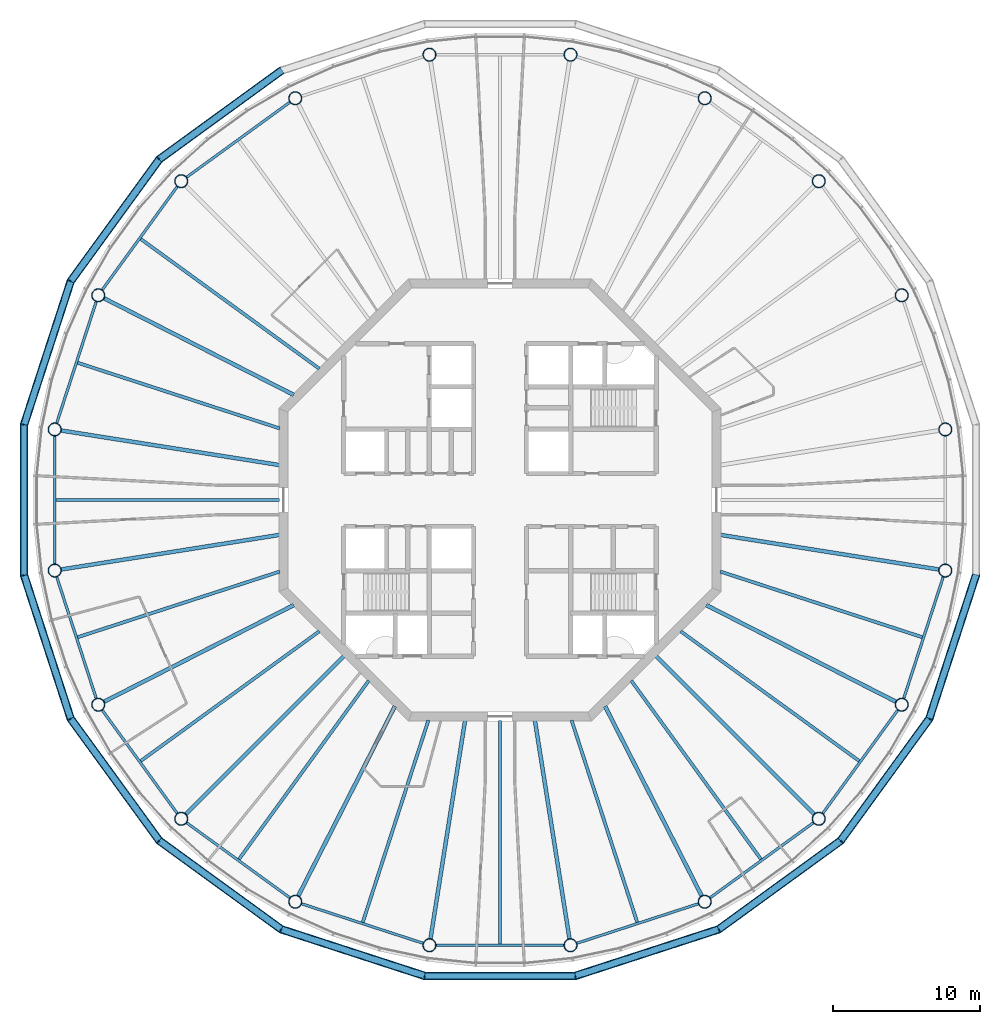
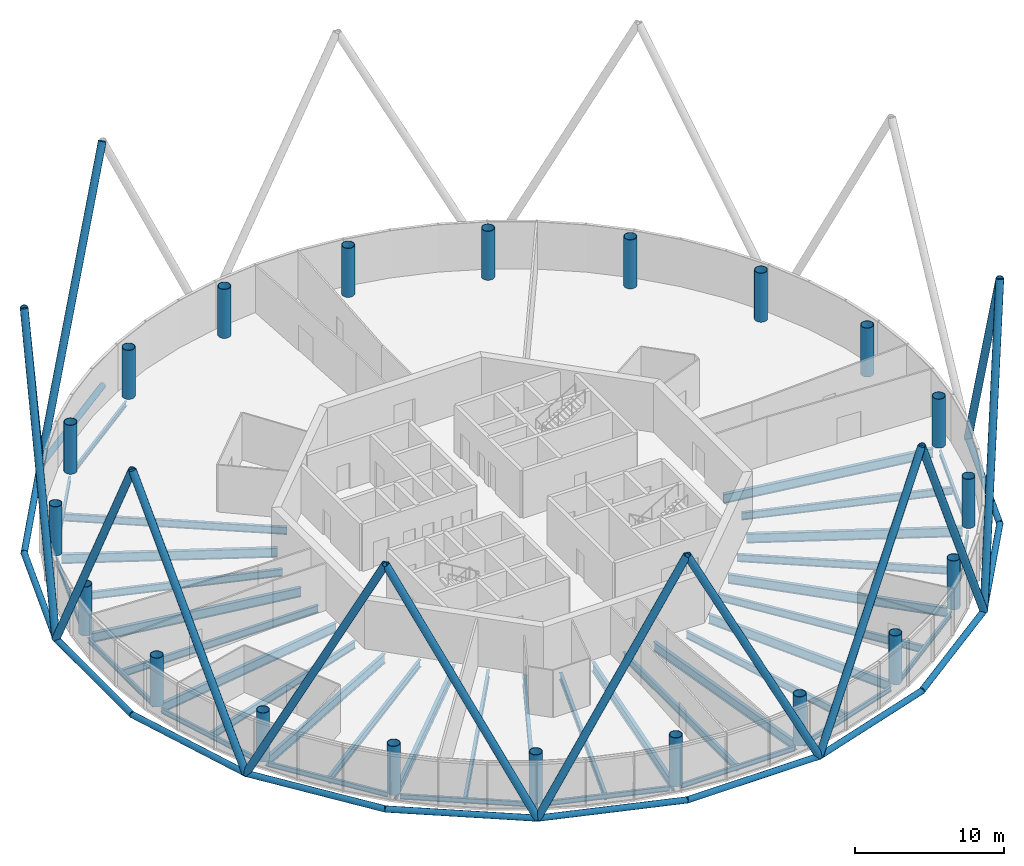
# One storey, part 1 of 13: 37 beams, 26 members, 20 columns.
"""IFC4 building model written with IfcOpenShell, lengths in metres."""

from ifc_helpers import new_model, si_unit, direction, frame, origin, origin_2d, place, context, subcontext, project, spatial, circle, hollow_circle, i_section, extrude, material, material_profile, profile_set, type_object, element, save


model = new_model("IFC4")

# Units and contexts
model_context = context("Model", 3, precision=1e-05, world=origin(), true_north=direction((0.0, 1.0)))
body_context = subcontext(model_context, "Body", "Model", "MODEL_VIEW")
ifc_project = project(units=[si_unit("LENGTHUNIT", "METRE"), si_unit("AREAUNIT", "SQUARE_METRE"), si_unit("VOLUMEUNIT", "CUBIC_METRE"), si_unit("PLANEANGLEUNIT", "RADIAN"), si_unit("MASSUNIT", "GRAM", prefix="KILO")], contexts=[model_context])

# Site, building, storey
site_placement = place(None, origin())
site = spatial("IfcSite", under=ifc_project, at=site_placement, CompositionType="ELEMENT")
building_placement = place(site_placement, origin())
building = spatial("IfcBuilding", under=site, at=building_placement, Name="Entoto Ring Tower", CompositionType="ELEMENT")
storey_placement = place(building_placement, frame((0.0, 0.0, 372.0)))
storey = spatial("IfcBuildingStorey", under=building, at=storey_placement, Name="L86", CompositionType="ELEMENT", Elevation=372.0)

# Columns
ifc_material_1 = material(Name="Steel S355", Category="steel")
ifc_material_profile_1 = material_profile(ifc_material_1, hollow_circle(Radius=0.449951171875, WallThickness=0.0400390625, at=origin_2d()), Name="CHS 900 x 40")
ifc_material_2 = material(Name="Concrete C60/75", Category="concrete")
ifc_material_profile_2 = material_profile(ifc_material_2, circle(Radius=0.409912109375, at=origin_2d()), Name="Concrete C60/75 infill")
ifc_profile_set_1 = profile_set([ifc_material_profile_1, ifc_material_profile_2], Name="Steel S355")
column_type = type_object("IfcColumnType", Name="Ring column 900 x 40 concrete-filled tube", PredefinedType="COLUMN", material=ifc_profile_set_1)
for number, where, z_axis, x_axis, name in (
    (1, (120.22314453125, 84.786865234375, 0.0), (0.0, 0.0, 1.0), (1.0, 0.0, 0.0), "RC6 R01"),
    (2, (117.264892578125, 93.89208984375, 0.0), (0.0, 0.0, 1.0), (1.0, 0.0, 0.0), "RC6 R02"),
    (3, (111.637451171875, 101.637451171875, 0.0), (0.0, 0.0, 1.0), (1.0, 0.0, 0.0), "RC6 R03"),
    (4, (103.89208984375, 107.264892578125, 0.0), (0.0, 0.0, 1.0), (1.0, 0.0, 0.0), "RC6 R04"),
    (5, (94.786865234375, 110.22314453125, 0.0), (0.0, 0.0, 1.0), (1.0, 0.0, 0.0), "RC6 R05"),
    (6, (85.213134765625, 110.22314453125, 0.0), (0.0, 0.0, 1.0), (1.0, 0.0, 0.0), "RC6 R06"),
    (7, (76.10791015625, 107.264892578125, 0.0), (0.0, 0.0, 1.0), (1.0, 0.0, 0.0), "RC6 R07"),
    (8, (68.362548828125, 101.637451171875, 0.0), (0.0, 0.0, 1.0), (1.0, 0.0, 0.0), "RC6 R08"),
    (9, (62.735107421875, 93.89208984375, 0.0), (0.0, 0.0, 1.0), (1.0, 0.0, 0.0), "RC6 R09"),
    (10, (59.77685546875, 84.786865234375, 0.0), (0.0, 0.0, 1.0), (1.0, 0.0, 0.0), "RC6 R10"),
    (11, (59.77685546875, 75.213134765625, 0.0), (0.0, 0.0, 1.0), (1.0, 0.0, 0.0), "RC6 R11"),
    (12, (62.735107421875, 66.10791015625, 0.0), (0.0, 0.0, 1.0), (1.0, 0.0, 0.0), "RC6 R12"),
    (13, (68.362548828125, 58.362548828125, 0.0), (0.0, 0.0, 1.0), (1.0, 0.0, 0.0), "RC6 R13"),
    (14, (76.10791015625, 52.735107421875, 0.0), (0.0, 0.0, 1.0), (1.0, 0.0, 0.0), "RC6 R14"),
    (15, (85.213134765625, 49.77685546875, 0.0), (0.0, 0.0, 1.0), (1.0, 0.0, 0.0), "RC6 R15"),
    (16, (94.786865234375, 49.77685546875, 0.0), (0.0, 0.0, 1.0), (1.0, 0.0, 0.0), "RC6 R16"),
    (17, (103.89208984375, 52.735107421875, 0.0), (0.0, 0.0, 1.0), (1.0, 0.0, 0.0), "RC6 R17"),
    (18, (111.637451171875, 58.362548828125, 0.0), (0.0, 0.0, 1.0), (1.0, 0.0, 0.0), "RC6 R18"),
    (19, (117.264892578125, 66.10791015625, 0.0), (0.0, 0.0, 1.0), (1.0, 0.0, 0.0), "RC6 R19"),
    (20, (120.22314453125, 75.213134765625, 0.0), (0.0, 0.0, 1.0), (1.0, 0.0, 0.0), "RC6 R20"),
):
    element("IfcColumn", number, at=place(storey_placement, frame(where, z_axis=z_axis, x_axis=x_axis)), inside=storey, type_object=column_type, Name=name, PredefinedType="COLUMN", context=body_context, shape_type="SweptSolid", body=[
        extrude(hollow_circle(Radius=0.449951171875, WallThickness=0.0400390625, at=origin_2d()), origin(), (0.0, 0.0, 1.0), 4.0),
    ])

# Members
ifc_material_3 = material(Name="Steel S355", Category="steel")
ifc_material_profile_3 = material_profile(ifc_material_3, hollow_circle(Radius=0.279541015625, WallThickness=0.031982421875, at=origin_2d()), Name="CHS 559 x 32")
ifc_material_4 = material(Name="Concrete C60/75", Category="concrete")
ifc_material_profile_4 = material_profile(ifc_material_4, circle(Radius=0.24755859375, at=origin_2d()), Name="Concrete C60/75 infill")
ifc_profile_set_2 = profile_set([ifc_material_profile_3, ifc_material_profile_4], Name="Steel S355")
member_type_1 = type_object("IfcMemberType", Name="Diagrid diagonal 559 x 32 concrete-filled tube", PredefinedType="BRACE", material=ifc_profile_set_2)
for number, where, z_axis, x_axis, name in (
    (21, (66.877685546875, 103.122314453125, 0.0), (0.368435420028, 0.2676922089, 0.890278733074), (-0.587797047665, 0.809008424404, 0.0), "DG7A module 28 07"),
    (22, (66.877685546875, 103.122314453125, 0.0), (-0.2676922089, -0.368435420028, 0.890278733074), (0.809008424404, -0.587797047665, 0.0), "DG7A module 28 08"),
    (23, (57.70263671875, 85.115478515625, 0.0), (0.140725857901, 0.433121348428, 0.890282051068), (-0.95105896794, 0.309009448885, 0.0), "DG7A module 28 09"),
    (24, (57.70263671875, 85.115478515625, 0.0), (0.0, -0.455419317756, 0.890277060816), (1.0, 0.0, 0.0), "DG7A module 28 10"),
    (25, (60.864013671875, 65.154541015625, 0.0), (-0.140725857901, 0.433121348428, 0.890282051068), (-0.95105896794, -0.309009448885, 0.0), "DG7A module 28 11"),
    (26, (60.864013671875, 65.154541015625, 0.0), (0.2676922089, -0.368435420028, 0.890278733074), (0.809008424404, 0.587797047665, 0.0), "DG7A module 28 12"),
    (27, (75.154541015625, 50.864013671875, 0.0), (-0.368435420028, 0.2676922089, 0.890278733074), (-0.587797047665, -0.809008424404, 0.0), "DG7A module 28 13"),
    (28, (75.154541015625, 50.864013671875, 0.0), (0.433121348428, -0.140725857901, 0.890282051068), (0.309009448885, 0.95105896794, 0.0), "DG7A module 28 14"),
    (29, (95.115478515625, 47.70263671875, 0.0), (-0.455419317756, 0.0, 0.890277060816), (0.0, -1.0, 0.0), "DG7A module 28 15"),
    (30, (95.115478515625, 47.70263671875, 0.0), (0.433121348428, 0.140725857901, 0.890282051068), (-0.309009448885, 0.95105896794, 0.0), "DG7A module 28 16"),
    (31, (113.122314453125, 56.877685546875, 0.0), (-0.368435420028, -0.2676922089, 0.890278733074), (0.587797047665, -0.809008424404, 0.0), "DG7A module 28 17"),
    (32, (113.122314453125, 56.877685546875, 0.0), (0.2676922089, 0.368435420028, 0.890278733074), (-0.809008424404, 0.587797047665, 0.0), "DG7A module 28 18"),
    (33, (122.29736328125, 74.884521484375, 0.0), (-0.140725857901, -0.433121348428, 0.890282051068), (0.95105896794, -0.309009448885, 0.0), "DG7A module 28 19"),
):
    element("IfcMember", number, at=place(storey_placement, frame(where, z_axis=z_axis, x_axis=x_axis)), inside=storey, type_object=member_type_1, Name=name, PredefinedType="BRACE", context=body_context, shape_type="SweptSolid", body=[
        extrude(hollow_circle(Radius=0.279541015625, WallThickness=0.031982421875, at=origin_2d()), origin(), (0.0, 0.0, 1.0), 22.46484375),
    ])
ifc_material_5 = material(Name="Steel S355", Category="steel")
ifc_material_profile_5 = material_profile(ifc_material_5, hollow_circle(Radius=0.228515625, WallThickness=0.02001953125, at=origin_2d()), Name="CHS 457 x 20")
ifc_material_6 = material(Name="Concrete C60/75", Category="concrete")
ifc_material_profile_6 = material_profile(ifc_material_6, circle(Radius=0.20849609375, at=origin_2d()), Name="Concrete C60/75 infill")
ifc_profile_set_3 = profile_set([ifc_material_profile_5, ifc_material_profile_6], Name="Steel S355")
member_type_2 = type_object("IfcMemberType", Name="Diagrid ring beam 457 x 20", PredefinedType="CHORD", material=ifc_profile_set_3)
for number, where, z_axis, x_axis, name in (
    (34, (75.199951171875, 109.1689453125, 0.0), (-0.809019745966, -0.587781465034, 0.0), (0.587781465034, -0.809019745966, 0.0), "DR3 ring 27 06"),
    (35, (66.91064453125, 103.16796875, 0.0), (-0.587781465034, -0.809019745966, 0.0), (0.809019745966, -0.587781465034, 0.0), "DR3 ring 27 07"),
):
    element("IfcMember", number, at=place(storey_placement, frame(where, z_axis=z_axis, x_axis=x_axis)), inside=storey, type_object=member_type_2, Name=name, PredefinedType="CHORD", context=body_context, shape_type="SweptSolid", body=[
        extrude(hollow_circle(Radius=0.228515625, WallThickness=0.02001953125, at=origin_2d()), origin(), (0.0, 0.0, 1.0), 10.34326171875),
    ])
member_1_placement = place(storey_placement, frame((60.88134765625, 94.89892578125, 0.0), z_axis=(-0.309002809244, -0.951061125206, 0.0), x_axis=(0.951061125206, -0.309002809244, 0.0)))
element("IfcMember", 36, at=member_1_placement, inside=storey, type_object=member_type_2, Name="DR3 ring 27 08", PredefinedType="CHORD", context=body_context, shape_type="SweptSolid", body=[
    extrude(hollow_circle(Radius=0.228515625, WallThickness=0.02001953125, at=origin_2d()), origin(), (0.0, 0.0, 1.0), 10.343017578125),
])
member_2_placement = place(storey_placement, frame((57.70263671875, 85.171630859375, 0.0), z_axis=(0.0, -1.0, 0.0), x_axis=(1.0, 0.0, 0.0)))
element("IfcMember", 37, at=member_2_placement, inside=storey, type_object=member_type_2, Name="DR3 ring 27 09", PredefinedType="CHORD", context=body_context, shape_type="SweptSolid", body=[
    extrude(hollow_circle(Radius=0.228515625, WallThickness=0.02001953125, at=origin_2d()), origin(), (0.0, 0.0, 1.0), 10.34326171875),
])
member_3_placement = place(storey_placement, frame((57.685302734375, 74.93798828125, 0.0), z_axis=(0.309002809244, -0.951061125206, 0.0), x_axis=(0.951061125206, 0.309002809244, 0.0)))
element("IfcMember", 38, at=member_3_placement, inside=storey, type_object=member_type_2, Name="DR3 ring 27 10", PredefinedType="CHORD", context=body_context, shape_type="SweptSolid", body=[
    extrude(hollow_circle(Radius=0.228515625, WallThickness=0.02001953125, at=origin_2d()), origin(), (0.0, 0.0, 1.0), 10.343017578125),
])
for number, where, z_axis, x_axis, name in (
    (39, (60.8310546875, 65.199951171875, 0.0), (0.587781465034, -0.809019745966, 0.0), (0.809019745966, 0.587781465034, 0.0), "DR3 ring 27 11"),
    (40, (66.83203125, 56.91064453125, 0.0), (0.809019745966, -0.587781465034, 0.0), (0.587781465034, 0.809019745966, 0.0), "DR3 ring 27 12"),
):
    element("IfcMember", number, at=place(storey_placement, frame(where, z_axis=z_axis, x_axis=x_axis)), inside=storey, type_object=member_type_2, Name=name, PredefinedType="CHORD", context=body_context, shape_type="SweptSolid", body=[
        extrude(hollow_circle(Radius=0.228515625, WallThickness=0.02001953125, at=origin_2d()), origin(), (0.0, 0.0, 1.0), 10.34326171875),
    ])
member_4_placement = place(storey_placement, frame((75.10107421875, 50.88134765625, 0.0), z_axis=(0.951061125206, -0.309002809244, 0.0), x_axis=(0.309002809244, 0.951061125206, 0.0)))
element("IfcMember", 41, at=member_4_placement, inside=storey, type_object=member_type_2, Name="DR3 ring 27 13", PredefinedType="CHORD", context=body_context, shape_type="SweptSolid", body=[
    extrude(hollow_circle(Radius=0.228515625, WallThickness=0.02001953125, at=origin_2d()), origin(), (0.0, 0.0, 1.0), 10.343017578125),
])
member_5_placement = place(storey_placement, frame((84.828369140625, 47.70263671875, 0.0), z_axis=(1.0, 0.0, 0.0), x_axis=(0.0, 1.0, 0.0)))
element("IfcMember", 42, at=member_5_placement, inside=storey, type_object=member_type_2, Name="DR3 ring 27 14", PredefinedType="CHORD", context=body_context, shape_type="SweptSolid", body=[
    extrude(hollow_circle(Radius=0.228515625, WallThickness=0.02001953125, at=origin_2d()), origin(), (0.0, 0.0, 1.0), 10.34326171875),
])
member_6_placement = place(storey_placement, frame((95.06201171875, 47.685302734375, 0.0), z_axis=(0.951061125206, 0.309002809244, 0.0), x_axis=(-0.309002809244, 0.951061125206, 0.0)))
element("IfcMember", 43, at=member_6_placement, inside=storey, type_object=member_type_2, Name="DR3 ring 27 15", PredefinedType="CHORD", context=body_context, shape_type="SweptSolid", body=[
    extrude(hollow_circle(Radius=0.228515625, WallThickness=0.02001953125, at=origin_2d()), origin(), (0.0, 0.0, 1.0), 10.343017578125),
])
for number, where, z_axis, x_axis, name in (
    (44, (104.800048828125, 50.8310546875, 0.0), (0.809019745966, 0.587781465034, 0.0), (-0.587781465034, 0.809019745966, 0.0), "DR3 ring 27 16"),
    (45, (113.08935546875, 56.83203125, 0.0), (0.587781465034, 0.809019745966, 0.0), (-0.809019745966, 0.587781465034, 0.0), "DR3 ring 27 17"),
):
    element("IfcMember", number, at=place(storey_placement, frame(where, z_axis=z_axis, x_axis=x_axis)), inside=storey, type_object=member_type_2, Name=name, PredefinedType="CHORD", context=body_context, shape_type="SweptSolid", body=[
        extrude(hollow_circle(Radius=0.228515625, WallThickness=0.02001953125, at=origin_2d()), origin(), (0.0, 0.0, 1.0), 10.34326171875),
    ])
member_7_placement = place(storey_placement, frame((119.11865234375, 65.10107421875, 0.0), z_axis=(0.309002809244, 0.951061125206, 0.0), x_axis=(-0.951061125206, 0.309002809244, 0.0)))
element("IfcMember", 46, at=member_7_placement, inside=storey, type_object=member_type_2, Name="DR3 ring 27 18", PredefinedType="CHORD", context=body_context, shape_type="SweptSolid", body=[
    extrude(hollow_circle(Radius=0.228515625, WallThickness=0.02001953125, at=origin_2d()), origin(), (0.0, 0.0, 1.0), 10.343017578125),
])

# Beams
ifc_material_7 = material(Name="Steel S355", Category="steel")
ifc_material_profile_7 = material_profile(ifc_material_7, i_section(OverallWidth=0.179931640625, OverallDepth=0.39990234375, WebThickness=0.008544921875, FlangeThickness=0.013427734375, FilletRadius=0.02099609375, at=origin_2d()), Name="IPE 400")
ifc_profile_set_4 = profile_set([ifc_material_profile_7], Name="Steel S355")
beam_type_1 = type_object("IfcBeamType", Name="Edge beam IPE 400", PredefinedType="SPANDREL", material=ifc_profile_set_4)
for number, where, z_axis, x_axis, name in (
    (47, (75.767333984375, 107.017333984375, -0.35009765625), (-0.80901045354, -0.587794254874, 0.0), (0.587794254874, -0.80901045354, 0.0), "Edge beam L86 07"),
    (48, (68.115234375, 101.296875, -0.35009765625), (-0.587794254874, -0.80901045354, 0.0), (0.80901045354, -0.587794254874, 0.0), "Edge beam L86 08"),
):
    element("IfcBeam", number, at=place(storey_placement, frame(where, z_axis=z_axis, x_axis=x_axis)), inside=storey, type_object=beam_type_1, Name=name, PredefinedType="SPANDREL", context=body_context, shape_type="SweptSolid", body=[
        extrude(i_section(OverallWidth=0.179931640625, OverallDepth=0.39990234375, WebThickness=0.008544921875, FlangeThickness=0.013427734375, FilletRadius=0.02099609375, at=origin_2d()), origin(), (0.0, 0.0, 1.0), 8.73193359375),
    ])
beam_1_placement = place(storey_placement, frame((62.605224609375, 93.491943359375, -0.35009765625), z_axis=(-0.309030438368, -0.951052147972, 0.0), x_axis=(0.951052147972, -0.309030438368, 0.0)))
element("IfcBeam", 49, at=beam_1_placement, inside=storey, type_object=beam_type_1, Name="Edge beam L86 09", PredefinedType="SPANDREL", context=body_context, shape_type="SweptSolid", body=[
    extrude(i_section(OverallWidth=0.179931640625, OverallDepth=0.39990234375, WebThickness=0.008544921875, FlangeThickness=0.013427734375, FilletRadius=0.02099609375, at=origin_2d()), origin(), (0.0, 0.0, 1.0), 8.732177734375),
])
beam_2_placement = place(storey_placement, frame((59.77685546875, 84.365966796875, -0.35009765625), z_axis=(0.0, -1.0, 0.0), x_axis=(1.0, 0.0, 0.0)))
element("IfcBeam", 50, at=beam_2_placement, inside=storey, type_object=beam_type_1, Name="Edge beam L86 10", PredefinedType="SPANDREL", context=body_context, shape_type="SweptSolid", body=[
    extrude(i_section(OverallWidth=0.179931640625, OverallDepth=0.39990234375, WebThickness=0.008544921875, FlangeThickness=0.013427734375, FilletRadius=0.02099609375, at=origin_2d()), origin(), (0.0, 0.0, 1.0), 8.73193359375),
])
beam_3_placement = place(storey_placement, frame((59.90673828125, 74.812744140625, -0.35009765625), z_axis=(0.309030438368, -0.951052147972, 0.0), x_axis=(0.951052147972, 0.309030438368, 0.0)))
element("IfcBeam", 51, at=beam_3_placement, inside=storey, type_object=beam_type_1, Name="Edge beam L86 11", PredefinedType="SPANDREL", context=body_context, shape_type="SweptSolid", body=[
    extrude(i_section(OverallWidth=0.179931640625, OverallDepth=0.39990234375, WebThickness=0.008544921875, FlangeThickness=0.013427734375, FilletRadius=0.02099609375, at=origin_2d()), origin(), (0.0, 0.0, 1.0), 8.732177734375),
])
for number, where, z_axis, x_axis, name in (
    (52, (62.982666015625, 65.767333984375, -0.35009765625), (0.587794254874, -0.80901045354, 0.0), (0.80901045354, 0.587794254874, 0.0), "Edge beam L86 12"),
    (53, (68.703125, 58.115234375, -0.35009765625), (0.80901045354, -0.587794254874, 0.0), (0.587794254874, 0.80901045354, 0.0), "Edge beam L86 13"),
):
    element("IfcBeam", number, at=place(storey_placement, frame(where, z_axis=z_axis, x_axis=x_axis)), inside=storey, type_object=beam_type_1, Name=name, PredefinedType="SPANDREL", context=body_context, shape_type="SweptSolid", body=[
        extrude(i_section(OverallWidth=0.179931640625, OverallDepth=0.39990234375, WebThickness=0.008544921875, FlangeThickness=0.013427734375, FilletRadius=0.02099609375, at=origin_2d()), origin(), (0.0, 0.0, 1.0), 8.73193359375),
    ])
beam_4_placement = place(storey_placement, frame((76.508056640625, 52.605224609375, -0.35009765625), z_axis=(0.951052147972, -0.309030438368, 0.0), x_axis=(0.309030438368, 0.951052147972, 0.0)))
element("IfcBeam", 54, at=beam_4_placement, inside=storey, type_object=beam_type_1, Name="Edge beam L86 14", PredefinedType="SPANDREL", context=body_context, shape_type="SweptSolid", body=[
    extrude(i_section(OverallWidth=0.179931640625, OverallDepth=0.39990234375, WebThickness=0.008544921875, FlangeThickness=0.013427734375, FilletRadius=0.02099609375, at=origin_2d()), origin(), (0.0, 0.0, 1.0), 8.732177734375),
])
beam_5_placement = place(storey_placement, frame((85.634033203125, 49.77685546875, -0.35009765625), z_axis=(1.0, 0.0, 0.0), x_axis=(0.0, 1.0, 0.0)))
element("IfcBeam", 55, at=beam_5_placement, inside=storey, type_object=beam_type_1, Name="Edge beam L86 15", PredefinedType="SPANDREL", context=body_context, shape_type="SweptSolid", body=[
    extrude(i_section(OverallWidth=0.179931640625, OverallDepth=0.39990234375, WebThickness=0.008544921875, FlangeThickness=0.013427734375, FilletRadius=0.02099609375, at=origin_2d()), origin(), (0.0, 0.0, 1.0), 8.73193359375),
])
beam_6_placement = place(storey_placement, frame((95.187255859375, 49.90673828125, -0.35009765625), z_axis=(0.951052147972, 0.309030438368, 0.0), x_axis=(-0.309030438368, 0.951052147972, 0.0)))
element("IfcBeam", 56, at=beam_6_placement, inside=storey, type_object=beam_type_1, Name="Edge beam L86 16", PredefinedType="SPANDREL", context=body_context, shape_type="SweptSolid", body=[
    extrude(i_section(OverallWidth=0.179931640625, OverallDepth=0.39990234375, WebThickness=0.008544921875, FlangeThickness=0.013427734375, FilletRadius=0.02099609375, at=origin_2d()), origin(), (0.0, 0.0, 1.0), 8.732177734375),
])
for number, where, z_axis, x_axis, name in (
    (57, (104.232666015625, 52.982666015625, -0.35009765625), (0.80901045354, 0.587794254874, 0.0), (-0.587794254874, 0.80901045354, 0.0), "Edge beam L86 17"),
    (58, (111.884765625, 58.703125, -0.35009765625), (0.587794254874, 0.80901045354, 0.0), (-0.80901045354, 0.587794254874, 0.0), "Edge beam L86 18"),
):
    element("IfcBeam", number, at=place(storey_placement, frame(where, z_axis=z_axis, x_axis=x_axis)), inside=storey, type_object=beam_type_1, Name=name, PredefinedType="SPANDREL", context=body_context, shape_type="SweptSolid", body=[
        extrude(i_section(OverallWidth=0.179931640625, OverallDepth=0.39990234375, WebThickness=0.008544921875, FlangeThickness=0.013427734375, FilletRadius=0.02099609375, at=origin_2d()), origin(), (0.0, 0.0, 1.0), 8.73193359375),
    ])
beam_7_placement = place(storey_placement, frame((117.394775390625, 66.508056640625, -0.35009765625), z_axis=(0.309030438368, 0.951052147972, 0.0), x_axis=(-0.951052147972, 0.309030438368, 0.0)))
element("IfcBeam", 59, at=beam_7_placement, inside=storey, type_object=beam_type_1, Name="Edge beam L86 19", PredefinedType="SPANDREL", context=body_context, shape_type="SweptSolid", body=[
    extrude(i_section(OverallWidth=0.179931640625, OverallDepth=0.39990234375, WebThickness=0.008544921875, FlangeThickness=0.013427734375, FilletRadius=0.02099609375, at=origin_2d()), origin(), (0.0, 0.0, 1.0), 8.732177734375),
])
ifc_material_8 = material(Name="Steel S355", Category="steel")
ifc_material_profile_8 = material_profile(ifc_material_8, i_section(OverallWidth=0.262939453125, OverallDepth=0.7529296875, WebThickness=0.011474609375, FlangeThickness=0.01708984375, FilletRadius=0.01708984375, at=origin_2d()), Name="IPE 750 x 137")
ifc_profile_set_5 = profile_set([ifc_material_profile_8], Name="Steel S355")
beam_type_2 = type_object("IfcBeamType", Name="Primary floor beam IPE 750 x 137", PredefinedType="BEAM", material=ifc_profile_set_5)
beam_8_placement = place(storey_placement, frame((76.0029296875, 87.1318359375, -0.526611328125), z_axis=(-0.89100578373, 0.453991952968, 0.0), x_axis=(-0.453991952968, -0.89100578373, 0.0)))
element("IfcBeam", 60, at=beam_8_placement, inside=storey, type_object=beam_type_2, Name="Primary L86 R09", PredefinedType="BEAM", context=body_context, shape_type="SweptSolid", body=[
    extrude(i_section(OverallWidth=0.262939453125, OverallDepth=0.7529296875, WebThickness=0.011474609375, FlangeThickness=0.01708984375, FilletRadius=0.01708984375, at=origin_2d()), origin(), (0.0, 0.0, 1.0), 14.48046875),
])
for number, where, z_axis, x_axis, name in (
    (61, (75.040283203125, 82.369384765625, -0.526611328125), (-0.987688638122, 0.156432586517, 0.0), (-0.156432586517, -0.987688638122, 0.0), "Primary L86 R10"),
    (62, (75.040283203125, 77.630615234375, -0.526611328125), (-0.987688638122, -0.156432586517, 0.0), (0.156432586517, -0.987688638122, 0.0), "Primary L86 R11"),
):
    element("IfcBeam", number, at=place(storey_placement, frame(where, z_axis=z_axis, x_axis=x_axis)), inside=storey, type_object=beam_type_2, Name=name, PredefinedType="BEAM", context=body_context, shape_type="SweptSolid", body=[
        extrude(i_section(OverallWidth=0.262939453125, OverallDepth=0.7529296875, WebThickness=0.011474609375, FlangeThickness=0.01708984375, FilletRadius=0.01708984375, at=origin_2d()), origin(), (0.0, 0.0, 1.0), 15.04345703125),
    ])
beam_9_placement = place(storey_placement, frame((76.0029296875, 72.8681640625, -0.526611328125), z_axis=(-0.89100578373, -0.453991952968, 0.0), x_axis=(0.453991952968, -0.89100578373, 0.0)))
element("IfcBeam", 63, at=beam_9_placement, inside=storey, type_object=beam_type_2, Name="Primary L86 R12", PredefinedType="BEAM", context=body_context, shape_type="SweptSolid", body=[
    extrude(i_section(OverallWidth=0.262939453125, OverallDepth=0.7529296875, WebThickness=0.011474609375, FlangeThickness=0.01708984375, FilletRadius=0.01708984375, at=origin_2d()), origin(), (0.0, 0.0, 1.0), 14.48046875),
])
beam_10_placement = place(storey_placement, frame((79.407470703125, 69.407470703125, -0.526611328125), z_axis=(-0.707106781187, -0.707106781187, 0.0), x_axis=(0.707106781187, -0.707106781187, 0.0)))
element("IfcBeam", 64, at=beam_10_placement, inside=storey, type_object=beam_type_2, Name="Primary L86 R13", PredefinedType="BEAM", context=body_context, shape_type="SweptSolid", body=[
    extrude(i_section(OverallWidth=0.262939453125, OverallDepth=0.7529296875, WebThickness=0.011474609375, FlangeThickness=0.01708984375, FilletRadius=0.01708984375, at=origin_2d()), origin(), (0.0, 0.0, 1.0), 15.209716796875),
])
beam_11_placement = place(storey_placement, frame((82.8681640625, 66.0029296875, -0.526611328125), z_axis=(-0.453991952968, -0.89100578373, 0.0), x_axis=(0.89100578373, -0.453991952968, 0.0)))
element("IfcBeam", 65, at=beam_11_placement, inside=storey, type_object=beam_type_2, Name="Primary L86 R14", PredefinedType="BEAM", context=body_context, shape_type="SweptSolid", body=[
    extrude(i_section(OverallWidth=0.262939453125, OverallDepth=0.7529296875, WebThickness=0.011474609375, FlangeThickness=0.01708984375, FilletRadius=0.01708984375, at=origin_2d()), origin(), (0.0, 0.0, 1.0), 14.48046875),
])
for number, where, z_axis, x_axis, name in (
    (66, (87.630615234375, 65.040283203125, -0.526611328125), (-0.156432586517, -0.987688638122, 0.0), (0.987688638122, -0.156432586517, 0.0), "Primary L86 R15"),
    (67, (92.369384765625, 65.040283203125, -0.526611328125), (0.156432586517, -0.987688638122, 0.0), (0.987688638122, 0.156432586517, 0.0), "Primary L86 R16"),
):
    element("IfcBeam", number, at=place(storey_placement, frame(where, z_axis=z_axis, x_axis=x_axis)), inside=storey, type_object=beam_type_2, Name=name, PredefinedType="BEAM", context=body_context, shape_type="SweptSolid", body=[
        extrude(i_section(OverallWidth=0.262939453125, OverallDepth=0.7529296875, WebThickness=0.011474609375, FlangeThickness=0.01708984375, FilletRadius=0.01708984375, at=origin_2d()), origin(), (0.0, 0.0, 1.0), 15.04345703125),
    ])
beam_12_placement = place(storey_placement, frame((97.1318359375, 66.0029296875, -0.526611328125), z_axis=(0.453991952968, -0.89100578373, 0.0), x_axis=(0.89100578373, 0.453991952968, 0.0)))
element("IfcBeam", 68, at=beam_12_placement, inside=storey, type_object=beam_type_2, Name="Primary L86 R17", PredefinedType="BEAM", context=body_context, shape_type="SweptSolid", body=[
    extrude(i_section(OverallWidth=0.262939453125, OverallDepth=0.7529296875, WebThickness=0.011474609375, FlangeThickness=0.01708984375, FilletRadius=0.01708984375, at=origin_2d()), origin(), (0.0, 0.0, 1.0), 14.48046875),
])
beam_13_placement = place(storey_placement, frame((100.592529296875, 69.407470703125, -0.526611328125), z_axis=(0.707106781187, -0.707106781187, 0.0), x_axis=(0.707106781187, 0.707106781187, 0.0)))
element("IfcBeam", 69, at=beam_13_placement, inside=storey, type_object=beam_type_2, Name="Primary L86 R18", PredefinedType="BEAM", context=body_context, shape_type="SweptSolid", body=[
    extrude(i_section(OverallWidth=0.262939453125, OverallDepth=0.7529296875, WebThickness=0.011474609375, FlangeThickness=0.01708984375, FilletRadius=0.01708984375, at=origin_2d()), origin(), (0.0, 0.0, 1.0), 15.209716796875),
])
beam_14_placement = place(storey_placement, frame((103.9970703125, 72.8681640625, -0.526611328125), z_axis=(0.89100578373, -0.453991952968, 0.0), x_axis=(0.453991952968, 0.89100578373, 0.0)))
element("IfcBeam", 70, at=beam_14_placement, inside=storey, type_object=beam_type_2, Name="Primary L86 R19", PredefinedType="BEAM", context=body_context, shape_type="SweptSolid", body=[
    extrude(i_section(OverallWidth=0.262939453125, OverallDepth=0.7529296875, WebThickness=0.011474609375, FlangeThickness=0.01708984375, FilletRadius=0.01708984375, at=origin_2d()), origin(), (0.0, 0.0, 1.0), 14.48046875),
])
beam_15_placement = place(storey_placement, frame((104.959716796875, 77.630615234375, -0.526611328125), z_axis=(0.987688638122, -0.156432586517, 0.0), x_axis=(0.156432586517, 0.987688638122, 0.0)))
element("IfcBeam", 71, at=beam_15_placement, inside=storey, type_object=beam_type_2, Name="Primary L86 R20", PredefinedType="BEAM", context=body_context, shape_type="SweptSolid", body=[
    extrude(i_section(OverallWidth=0.262939453125, OverallDepth=0.7529296875, WebThickness=0.011474609375, FlangeThickness=0.01708984375, FilletRadius=0.01708984375, at=origin_2d()), origin(), (0.0, 0.0, 1.0), 15.04345703125),
])
ifc_material_9 = material(Name="Steel S355", Category="steel")
ifc_material_profile_9 = material_profile(ifc_material_9, i_section(OverallWidth=0.219970703125, OverallDepth=0.60009765625, WebThickness=0.011962890625, FlangeThickness=0.01904296875, FilletRadius=0.02392578125, at=origin_2d()), Name="IPE 600")
ifc_profile_set_6 = profile_set([ifc_material_profile_9], Name="Steel S355")
beam_type_3 = type_object("IfcBeamType", Name="Secondary floor beam IPE 600", PredefinedType="JOIST", material=ifc_profile_set_6)
beam_16_placement = place(storey_placement, frame((77.74365234375, 88.90478515625, -0.449951171875), z_axis=(-0.809019238239, 0.587782163866, 0.0), x_axis=(-0.587782163866, -0.809019238239, 0.0)))
element("IfcBeam", 72, at=beam_16_placement, inside=storey, type_object=beam_type_3, Name="Secondary beam L86 08", PredefinedType="JOIST", context=body_context, shape_type="SweptSolid", body=[
    extrude(i_section(OverallWidth=0.219970703125, OverallDepth=0.60009765625, WebThickness=0.011962890625, FlangeThickness=0.01904296875, FilletRadius=0.02392578125, at=origin_2d()), origin(), (0.0, 0.0, 1.0), 14.983642578125),
])
beam_17_placement = place(storey_placement, frame((75.052978515625, 84.856689453125, -0.449951171875), z_axis=(-0.951057212949, 0.309014850288, 0.0), x_axis=(-0.309014850288, -0.951057212949, 0.0)))
element("IfcBeam", 73, at=beam_17_placement, inside=storey, type_object=beam_type_3, Name="Secondary beam L86 09", PredefinedType="JOIST", context=body_context, shape_type="SweptSolid", body=[
    extrude(i_section(OverallWidth=0.219970703125, OverallDepth=0.60009765625, WebThickness=0.011962890625, FlangeThickness=0.01904296875, FilletRadius=0.02392578125, at=origin_2d()), origin(), (0.0, 0.0, 1.0), 14.4169921875),
])
beam_18_placement = place(storey_placement, frame((75.02001953125, 80.0, -0.449951171875), z_axis=(-1.0, 0.0, 0.0), x_axis=(0.0, -1.0, 0.0)))
element("IfcBeam", 74, at=beam_18_placement, inside=storey, type_object=beam_type_3, Name="Secondary beam L86 10", PredefinedType="JOIST", context=body_context, shape_type="SweptSolid", body=[
    extrude(i_section(OverallWidth=0.219970703125, OverallDepth=0.60009765625, WebThickness=0.011962890625, FlangeThickness=0.01904296875, FilletRadius=0.02392578125, at=origin_2d()), origin(), (0.0, 0.0, 1.0), 15.1533203125),
])
beam_19_placement = place(storey_placement, frame((75.052978515625, 75.143310546875, -0.449951171875), z_axis=(-0.951057212949, -0.309014850288, 0.0), x_axis=(0.309014850288, -0.951057212949, 0.0)))
element("IfcBeam", 75, at=beam_19_placement, inside=storey, type_object=beam_type_3, Name="Secondary beam L86 11", PredefinedType="JOIST", context=body_context, shape_type="SweptSolid", body=[
    extrude(i_section(OverallWidth=0.219970703125, OverallDepth=0.60009765625, WebThickness=0.011962890625, FlangeThickness=0.01904296875, FilletRadius=0.02392578125, at=origin_2d()), origin(), (0.0, 0.0, 1.0), 14.4169921875),
])
for number, where, z_axis, x_axis, name in (
    (76, (77.74365234375, 71.09521484375, -0.449951171875), (-0.809019238239, -0.587782163866, 0.0), (0.587782163866, -0.809019238239, 0.0), "Secondary beam L86 12"),
    (77, (81.09521484375, 67.74365234375, -0.449951171875), (-0.587782163866, -0.809019238239, 0.0), (0.809019238239, -0.587782163866, 0.0), "Secondary beam L86 13"),
):
    element("IfcBeam", number, at=place(storey_placement, frame(where, z_axis=z_axis, x_axis=x_axis)), inside=storey, type_object=beam_type_3, Name=name, PredefinedType="JOIST", context=body_context, shape_type="SweptSolid", body=[
        extrude(i_section(OverallWidth=0.219970703125, OverallDepth=0.60009765625, WebThickness=0.011962890625, FlangeThickness=0.01904296875, FilletRadius=0.02392578125, at=origin_2d()), origin(), (0.0, 0.0, 1.0), 14.983642578125),
    ])
beam_20_placement = place(storey_placement, frame((85.143310546875, 65.052978515625, -0.449951171875), z_axis=(-0.309014850288, -0.951057212949, 0.0), x_axis=(0.951057212949, -0.309014850288, 0.0)))
element("IfcBeam", 78, at=beam_20_placement, inside=storey, type_object=beam_type_3, Name="Secondary beam L86 14", PredefinedType="JOIST", context=body_context, shape_type="SweptSolid", body=[
    extrude(i_section(OverallWidth=0.219970703125, OverallDepth=0.60009765625, WebThickness=0.011962890625, FlangeThickness=0.01904296875, FilletRadius=0.02392578125, at=origin_2d()), origin(), (0.0, 0.0, 1.0), 14.4169921875),
])
beam_21_placement = place(storey_placement, frame((90.0, 65.02001953125, -0.449951171875), z_axis=(0.0, -1.0, 0.0), x_axis=(1.0, 0.0, 0.0)))
element("IfcBeam", 79, at=beam_21_placement, inside=storey, type_object=beam_type_3, Name="Secondary beam L86 15", PredefinedType="JOIST", context=body_context, shape_type="SweptSolid", body=[
    extrude(i_section(OverallWidth=0.219970703125, OverallDepth=0.60009765625, WebThickness=0.011962890625, FlangeThickness=0.01904296875, FilletRadius=0.02392578125, at=origin_2d()), origin(), (0.0, 0.0, 1.0), 15.1533203125),
])
beam_22_placement = place(storey_placement, frame((94.856689453125, 65.052978515625, -0.449951171875), z_axis=(0.309014850288, -0.951057212949, 0.0), x_axis=(0.951057212949, 0.309014850288, 0.0)))
element("IfcBeam", 80, at=beam_22_placement, inside=storey, type_object=beam_type_3, Name="Secondary beam L86 16", PredefinedType="JOIST", context=body_context, shape_type="SweptSolid", body=[
    extrude(i_section(OverallWidth=0.219970703125, OverallDepth=0.60009765625, WebThickness=0.011962890625, FlangeThickness=0.01904296875, FilletRadius=0.02392578125, at=origin_2d()), origin(), (0.0, 0.0, 1.0), 14.4169921875),
])
for number, where, z_axis, x_axis, name in (
    (81, (98.90478515625, 67.74365234375, -0.449951171875), (0.587782163866, -0.809019238239, 0.0), (0.809019238239, 0.587782163866, 0.0), "Secondary beam L86 17"),
    (82, (102.25634765625, 71.09521484375, -0.449951171875), (0.809019238239, -0.587782163866, 0.0), (0.587782163866, 0.809019238239, 0.0), "Secondary beam L86 18"),
):
    element("IfcBeam", number, at=place(storey_placement, frame(where, z_axis=z_axis, x_axis=x_axis)), inside=storey, type_object=beam_type_3, Name=name, PredefinedType="JOIST", context=body_context, shape_type="SweptSolid", body=[
        extrude(i_section(OverallWidth=0.219970703125, OverallDepth=0.60009765625, WebThickness=0.011962890625, FlangeThickness=0.01904296875, FilletRadius=0.02392578125, at=origin_2d()), origin(), (0.0, 0.0, 1.0), 14.983642578125),
    ])
beam_23_placement = place(storey_placement, frame((104.947021484375, 75.143310546875, -0.449951171875), z_axis=(0.951057212949, -0.309014850288, 0.0), x_axis=(0.309014850288, 0.951057212949, 0.0)))
element("IfcBeam", 83, at=beam_23_placement, inside=storey, type_object=beam_type_3, Name="Secondary beam L86 19", PredefinedType="JOIST", context=body_context, shape_type="SweptSolid", body=[
    extrude(i_section(OverallWidth=0.219970703125, OverallDepth=0.60009765625, WebThickness=0.011962890625, FlangeThickness=0.01904296875, FilletRadius=0.02392578125, at=origin_2d()), origin(), (0.0, 0.0, 1.0), 14.4169921875),
])

save(model, "model.ifc")
